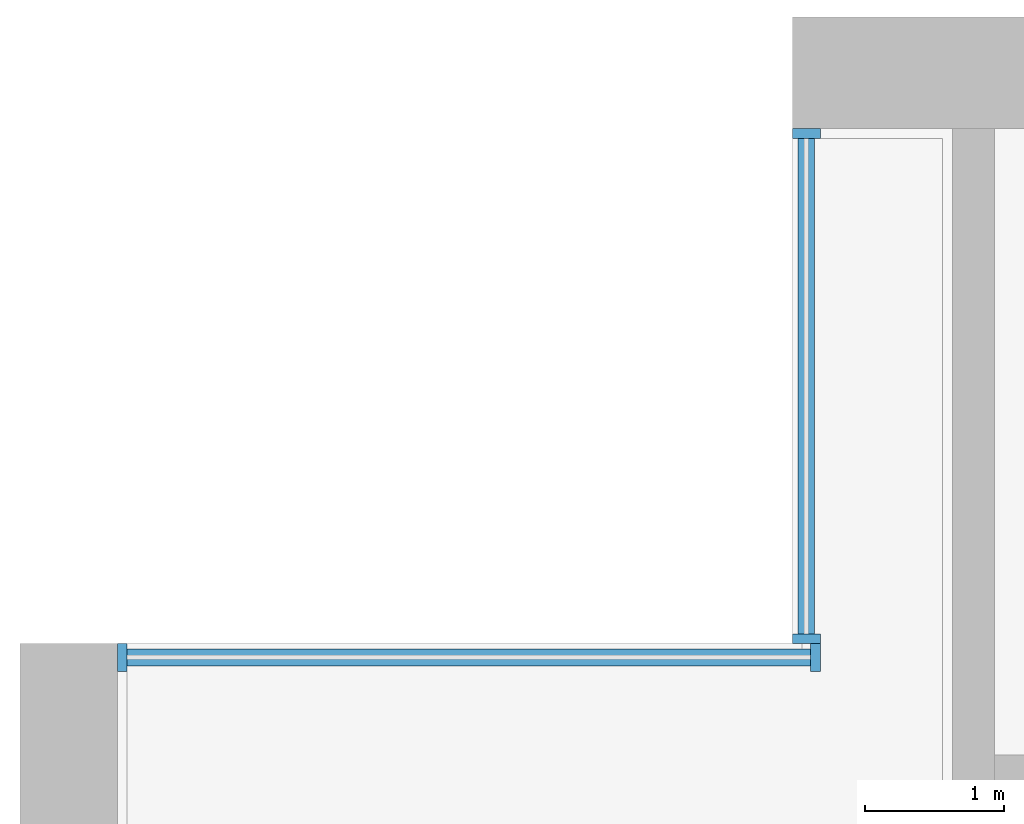
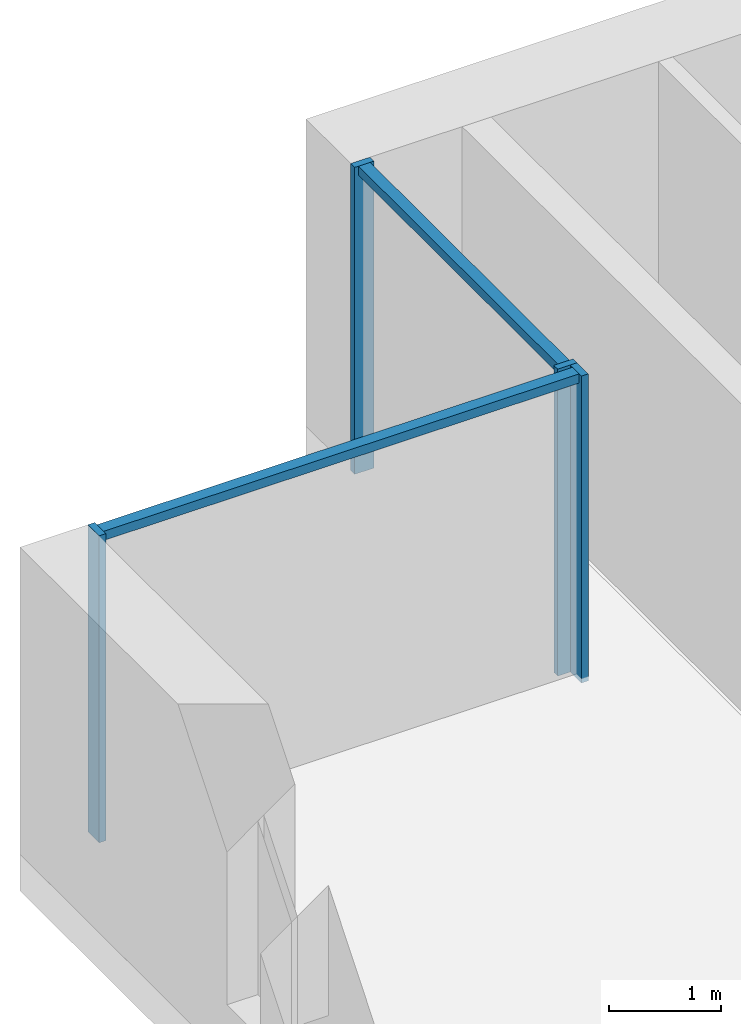
# One storey, part 4 of 15: 6 members, 2 elements without a shape of their own.
"""IFC4 building model written with IfcOpenShell, lengths in metres."""

from ifc_helpers import new_model, si_unit, direction, frame, origin, origin_2d, place, context, subcontext, project, spatial, rectangle, extrude, material, material_profile, profile_set, type_object, element, aggregate, save


model = new_model("IFC4")

# Units and contexts
model_context = context("Model", 3, precision=1e-05, world=origin(), true_north=direction((0.0, 1.0)))
body_context = subcontext(model_context, "Body", "Model", "MODEL_VIEW")
ifc_project = project(units=[si_unit("LENGTHUNIT", "METRE"), si_unit("AREAUNIT", "SQUARE_METRE"), si_unit("VOLUMEUNIT", "CUBIC_METRE"), si_unit("PLANEANGLEUNIT", "RADIAN"), si_unit("MASSUNIT", "GRAM", prefix="KILO")], contexts=[model_context])

# Site, building, storey
site_placement = place(None, origin())
site = spatial("IfcSite", under=ifc_project, at=site_placement, CompositionType="ELEMENT")
building_placement = place(site_placement, origin())
building = spatial("IfcBuilding", under=site, at=building_placement, Name="Calvaro Tower", CompositionType="ELEMENT")
storey_placement = place(building_placement, frame((0.0, 0.0, 121.25)))
storey = spatial("IfcBuildingStorey", under=building, at=storey_placement, Name="L30", CompositionType="ELEMENT", Elevation=121.25)

# Curtain wall, members
ifc_material_1 = material(Name="Anodised aluminium", Category="aluminium")
curtain_wall_type = type_object("IfcCurtainWallType", Name="Office curtain wall, middle zone", PredefinedType="NOTDEFINED", material=ifc_material_1)
curtain_wall_1_placement = place(storey_placement, origin())
curtain_wall_1 = element("IfcCurtainWall", 1, at=curtain_wall_1_placement, inside=storey, type_object=curtain_wall_type, Name="CW2 corner curtain wall", PredefinedType="NOTDEFINED")
ifc_material_2 = material(Name="Anodised aluminium", Category="aluminium")
ifc_material_profile_1 = material_profile(ifc_material_2, rectangle(XDim=0.199951171875, YDim=0.070068359375, at=origin_2d()), Name="Mullion S2 70 x 200")
ifc_profile_set_1 = profile_set([ifc_material_profile_1], Name="Anodised aluminium")
member_type_1 = type_object("IfcMemberType", Name="Mullion S2 70 x 200", PredefinedType="MULLION", material=ifc_profile_set_1)
member_1_placement = place(storey_placement, frame((5.64990234375, 41.534912109375, 0.0), z_axis=(0.0, 0.0, 1.0), x_axis=(-1.0, 0.0, 0.0)))
member_1 = element("IfcMember", 2, at=member_1_placement, type_object=member_type_1, Name="CW2 mullion 1", PredefinedType="MULLION", context=body_context, shape_type="SweptSolid", body=[
    extrude(rectangle(XDim=0.199951171875, YDim=0.070068359375, at=origin_2d()), origin(), (0.0, 0.0, 1.0), 3.35009765625),
])
member_2_placement = place(storey_placement, frame((5.64990234375, 45.1650390625, 0.0), z_axis=(0.0, 0.0, 1.0), x_axis=(-1.0, 0.0, 0.0)))
member_2 = element("IfcMember", 3, at=member_2_placement, type_object=member_type_1, Name="CW2 mullion 2", PredefinedType="MULLION", context=body_context, shape_type="SweptSolid", body=[
    extrude(rectangle(XDim=0.199951171875, YDim=0.070068359375, at=origin_2d()), origin(), (0.0, 0.0, 1.0), 3.35009765625),
])

curtain_wall_2_placement = place(storey_placement, origin())
curtain_wall_2 = element("IfcCurtainWall", 4, at=curtain_wall_2_placement, inside=storey, type_object=curtain_wall_type, Name="CW2 corner curtain wall", PredefinedType="NOTDEFINED")
member_3_placement = place(storey_placement, frame((0.735107421875, 41.39990234375, 0.0), z_axis=(0.0, 0.0, 1.0), x_axis=(0.0, 1.0, 0.0)))
member_3 = element("IfcMember", 5, at=member_3_placement, type_object=member_type_1, Name="CW2 mullion 1", PredefinedType="MULLION", context=body_context, shape_type="SweptSolid", body=[
    extrude(rectangle(XDim=0.199951171875, YDim=0.070068359375, at=origin_2d()), origin(), (0.0, 0.0, 1.0), 3.35009765625),
])
member_4_placement = place(storey_placement, frame((5.715087890625, 41.39990234375, 0.0), z_axis=(0.0, 0.0, 1.0), x_axis=(0.0, 1.0, 0.0)))
member_4 = element("IfcMember", 6, at=member_4_placement, type_object=member_type_1, Name="CW2 mullion 2", PredefinedType="MULLION", context=body_context, shape_type="SweptSolid", body=[
    extrude(rectangle(XDim=0.199951171875, YDim=0.070068359375, at=origin_2d()), origin(), (0.0, 0.0, 1.0), 3.35009765625),
])

# Member
ifc_material_3 = material(Name="Anodised aluminium", Category="aluminium")
ifc_material_profile_2 = material_profile(ifc_material_3, rectangle(XDim=0.1201171875, YDim=0.10009765625, at=origin_2d()), Name="Transom S2 100 x 120")
ifc_profile_set_2 = profile_set([ifc_material_profile_2], Name="Anodised aluminium")
member_type_2 = type_object("IfcMemberType", Name="Transom S2 100 x 120", PredefinedType="USERDEFINED", material=ifc_profile_set_2)
member_5_placement = place(storey_placement, frame((5.64990234375, 41.570068359375, 3.300048828125), z_axis=(0.0, 1.0, 0.0), x_axis=(-1.0, 0.0, 0.0)))
member_5 = element("IfcMember", 7, at=member_5_placement, type_object=member_type_2, Name="CW2 transom 1.1", ObjectType="TRANSOM", PredefinedType="USERDEFINED", context=body_context, shape_type="SweptSolid", body=[
    extrude(rectangle(XDim=0.1201171875, YDim=0.10009765625, at=origin_2d()), origin(), (0.0, 0.0, 1.0), 3.559814453125),
])

aggregate(curtain_wall_1, [member_1, member_2, member_5])

member_6_placement = place(storey_placement, frame((0.77001953125, 41.39990234375, 3.300048828125), z_axis=(1.0, 0.0, 0.0), x_axis=(0.0, 1.0, 0.0)))
member_6 = element("IfcMember", 8, at=member_6_placement, type_object=member_type_2, Name="CW2 transom 1.1", ObjectType="TRANSOM", PredefinedType="USERDEFINED", context=body_context, shape_type="SweptSolid", body=[
    extrude(rectangle(XDim=0.1201171875, YDim=0.10009765625, at=origin_2d()), origin(), (0.0, 0.0, 1.0), 4.909912109375),
])

aggregate(curtain_wall_2, [member_3, member_4, member_6])

save(model, "model.ifc")
